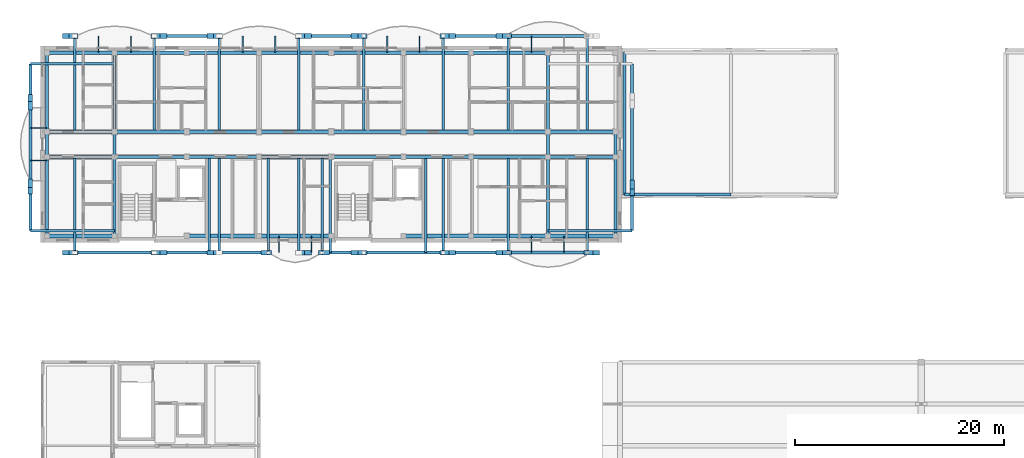
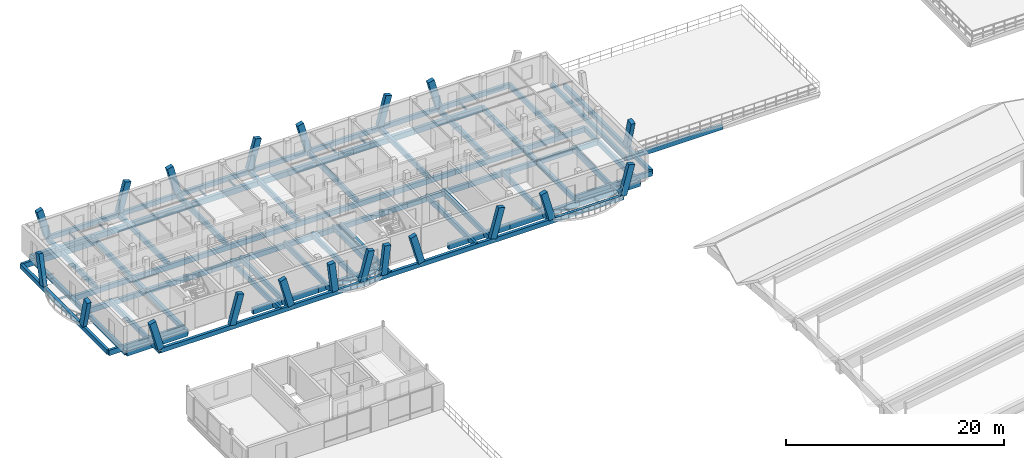
# One storey, part 33 of 109: 81 beams, 20 members.
"""IFC4 building model written with IfcOpenShell, lengths in metres."""

import ifcopenshell
import ifcopenshell.guid

model = None  # the IFC model being written
_history = None  # IfcOwnerHistory: only IFC2X3 demands one
_inside = {}  # id of a spatial element -> (the spatial element, [elements in it])
_under = {}  # id of a project, library or spatial element -> (it, [spatial elements below it])
_declared = {}  # id of a project -> (the project, [libraries it declares])
_typed = {}  # id of a type object -> (the type object, [elements of that type])
_made_of = {}  # id of a material, layer set ... -> (it, [elements and type objects made of it])


def new_model(schema):
    """Start an empty IFC model of exactly this schema.

    Asked for "IFC4X3", IfcOpenShell would pick the latest addendum, in which some entities
    have other attributes; the version numbers below select the first issue.
    IFC2X3 requires an IfcOwnerHistory on every rooted entity: one is made here for all.
    """
    global model, _history
    if schema == "IFC4X3":
        model = ifcopenshell.file(schema_version=(4, 3, 0, 0))
    else:
        model = ifcopenshell.file(schema=schema)
    _inside.clear()
    _under.clear()
    _declared.clear()
    _typed.clear()
    _made_of.clear()
    _history = None
    if model.schema == "IFC2X3":
        org = make("IfcOrganization", Name="unknown")
        user = make(
            "IfcPersonAndOrganization",
            ThePerson=make("IfcPerson", FamilyName="unknown"),
            TheOrganization=org,
        )
        app = make(
            "IfcApplication",
            ApplicationDeveloper=org,
            Version="unknown",
            ApplicationFullName="unknown",
            ApplicationIdentifier="unknown",
        )
        _history = make(
            "IfcOwnerHistory",
            OwningUser=user,
            OwningApplication=app,
            ChangeAction="ADDED",
            CreationDate=0,
        )
    return model


def make(cls, **values):
    """One entity of the class cls with the attributes given. An attribute that is None is left unset."""
    return model.create_entity(
        cls, **{name: value for name, value in values.items() if value is not None}
    )


def rooted(cls, **values):
    """An entity with a GlobalId (a new one), such as an element, a storey or a relation."""
    return make(cls, GlobalId=ifcopenshell.guid.new(), OwnerHistory=_history, **values)


def si_unit(unit_type, name, prefix=None):
    """IfcSIUnit, for example si_unit("LENGTHUNIT", "METRE", prefix="MILLI")."""
    return make("IfcSIUnit", UnitType=unit_type, Prefix=prefix, Name=name)


def assignment(units):
    """IfcUnitAssignment: the units of a project."""
    return None if units is None else make("IfcUnitAssignment", Units=units)


def point(xyz):
    """IfcCartesianPoint."""
    return None if xyz is None else make("IfcCartesianPoint", Coordinates=xyz)


def direction(xyz):
    """IfcDirection."""
    return None if xyz is None else make("IfcDirection", DirectionRatios=xyz)


def frame(location, z_axis=None, x_axis=None):
    """IfcAxis2Placement3D, a coordinate frame: its origin and axes. An axis left out is left unset."""
    return make(
        "IfcAxis2Placement3D",
        Location=point(location),
        Axis=direction(z_axis),
        RefDirection=direction(x_axis),
    )


def frame_2d(location, x_axis=None):
    """IfcAxis2Placement2D, a coordinate frame in the plane: its origin and x axis."""
    return make(
        "IfcAxis2Placement2D", Location=point(location), RefDirection=direction(x_axis)
    )


def origin():
    """The frame at (0, 0, 0) with its axes left unset."""
    return frame((0.0, 0.0, 0.0))


def origin_2d():
    """The frame at (0, 0) in the plane with its x axis left unset."""
    return frame_2d((0.0, 0.0))


def place(relative_to, where):
    """IfcLocalPlacement: puts the frame where relative to a parent placement (None: the world)."""
    return make(
        "IfcLocalPlacement", PlacementRelTo=relative_to, RelativePlacement=where
    )


def context(
    kind, dimensions, precision=None, world=None, true_north=None, identifier=None
):
    """IfcGeometricRepresentationContext, for example the 3D "Model" context."""
    return make(
        "IfcGeometricRepresentationContext",
        ContextIdentifier=identifier,
        ContextType=kind,
        CoordinateSpaceDimension=dimensions,
        Precision=precision,
        WorldCoordinateSystem=world,
        TrueNorth=true_north,
    )


def subcontext(parent, identifier, kind, view, scale=None):
    """IfcGeometricRepresentationSubContext, for example "Body" below "Model"."""
    return make(
        "IfcGeometricRepresentationSubContext",
        ContextIdentifier=identifier,
        ContextType=kind,
        ParentContext=parent,
        TargetScale=scale,
        TargetView=view,
    )


def project(units=None, contexts=None):
    """IfcProject with its units and contexts."""
    return rooted(
        "IfcProject",
        Name="project",
        RepresentationContexts=contexts,
        UnitsInContext=assignment(units),
    )


def spatial(cls, under=None, at=None, **own):
    """A site, building, storey or space (cls), placed at a placement, below another one or the project."""
    s = rooted(cls, ObjectPlacement=at, **own)
    if under is not None:
        _under.setdefault(under.id(), (under, []))[1].append(s)
    return s


def profile(cls, at=None, kind="AREA", **sizes):
    """A parametric profile (cls). Its sizes go by their IFC names, for example OverallWidth=200.0."""
    return make(cls, ProfileType=kind, Position=at, **sizes)


def rectangle(**sizes):
    """IfcRectangleProfileDef."""
    return profile("IfcRectangleProfileDef", **sizes)


def i_section(**sizes):
    """IfcIShapeProfileDef."""
    return profile("IfcIShapeProfileDef", **sizes)


def extrude(swept, where, along, depth):
    """IfcExtrudedAreaSolid: the profile swept, set in the frame where, extruded along a direction by depth."""
    return make(
        "IfcExtrudedAreaSolid",
        SweptArea=swept,
        Position=where,
        ExtrudedDirection=direction(along),
        Depth=depth,
    )


def shape(context_of_items, identifier, shape_type, items):
    """IfcShapeRepresentation: the items that make up one representation, for example the "Body"."""
    return make(
        "IfcShapeRepresentation",
        ContextOfItems=context_of_items,
        RepresentationIdentifier=identifier,
        RepresentationType=shape_type,
        Items=items,
    )


def material(Name=None, Category=None):
    """IfcMaterial."""
    return make("IfcMaterial", Name=Name, Category=Category)


def material_profile(
    of_material, cross_section, Name=None, Category=None, Priority=None
):
    """IfcMaterialProfile: a cross section and its material."""
    return make(
        "IfcMaterialProfile",
        Name=Name,
        Material=of_material,
        Profile=cross_section,
        Priority=Priority,
        Category=Category,
    )


def profile_set(profiles, Name=None, composite=None):
    """IfcMaterialProfileSet."""
    return make(
        "IfcMaterialProfileSet",
        Name=Name,
        MaterialProfiles=profiles,
        CompositeProfile=composite,
    )


def made_of(thing, what):
    """Note that an element or type object is made of a material, layer set ...; save() writes the relation."""
    if what is not None:
        _made_of.setdefault(what.id(), (what, []))[1].append(thing)
    return thing


def type_object(cls, material=None, **own):
    """A type object (cls), such as IfcWallType, which elements share."""
    return made_of(rooted(cls, **own), material)


def element(
    cls,
    number,
    at=None,
    inside=None,
    cuts=None,
    type_object=None,
    material=None,
    context=None,
    identifier="Body",
    shape_type=None,
    held_by="IfcProductDefinitionShape",
    body=None,
    shapes=None,
    **own,
):
    """One element of the class cls, such as IfcWall. Its Tag is "e" and its number.

    at: its placement. inside: the storey or other place that contains it. cuts: it is an
    opening in that element (IfcRelVoidsElement). A single representation is given by context,
    identifier, shape_type and body (its items); several are given by shapes. held_by: the class
    of the entity that holds the representations. save() writes the other relations.
    """
    e = rooted(cls, Tag="e%d" % number, ObjectPlacement=at, **own)
    if body is not None:
        shapes = [shape(context, identifier, shape_type, body)]
    if shapes is not None:
        e.Representation = make(held_by, Representations=shapes)
    if inside is not None:
        _inside.setdefault(inside.id(), (inside, []))[1].append(e)
    if cuts is not None:
        rooted(
            "IfcRelVoidsElement", RelatingBuildingElement=cuts, RelatedOpeningElement=e
        )
    if type_object is not None:
        _typed.setdefault(type_object.id(), (type_object, []))[1].append(e)
    return made_of(e, material)


def aggregate(whole, parts):
    """IfcRelAggregates: a whole, such as a stair, and the parts it consists of."""
    return rooted("IfcRelAggregates", RelatingObject=whole, RelatedObjects=parts)


def save(model, path):
    """Write the relations noted so far, then the file.

    IfcRelAggregates (storeys below a building ...), IfcRelContainedInSpatialStructure (elements
    in a storey), IfcRelDefinesByType, IfcRelAssociatesMaterial and IfcRelDeclares: one each for
    every whole, place, type object, material and project.
    """
    for whole, parts in _under.values():
        aggregate(whole, parts)
    for where, things in _inside.values():
        rooted(
            "IfcRelContainedInSpatialStructure",
            RelatedElements=things,
            RelatingStructure=where,
        )
    for kind, things in _typed.values():
        rooted("IfcRelDefinesByType", RelatedObjects=things, RelatingType=kind)
    for what, things in _made_of.values():
        rooted("IfcRelAssociatesMaterial", RelatedObjects=things, RelatingMaterial=what)
    for by, libraries in _declared.values():
        rooted("IfcRelDeclares", RelatingContext=by, RelatedDefinitions=libraries)
    model.write(path)


model = new_model("IFC4")

# Units and contexts
model_context = context("Model", 3, precision=1e-05, world=origin(), true_north=direction((0.0, 1.0)))
body_context = subcontext(model_context, "Body", "Model", "MODEL_VIEW")
ifc_project = project(units=[si_unit("LENGTHUNIT", "METRE"), si_unit("AREAUNIT", "SQUARE_METRE"), si_unit("VOLUMEUNIT", "CUBIC_METRE"), si_unit("PLANEANGLEUNIT", "RADIAN"), si_unit("MASSUNIT", "GRAM", prefix="KILO")], contexts=[model_context])

# Site, building, storey
site_placement = place(None, origin())
site = spatial("IfcSite", under=ifc_project, at=site_placement, CompositionType="ELEMENT")
building_placement = place(site_placement, origin())
building = spatial("IfcBuilding", under=site, at=building_placement, Name="Zavelmont Quarter", CompositionType="ELEMENT")
storey_placement = place(building_placement, frame((0.0, 0.0, 8.0)))
storey = spatial("IfcBuildingStorey", under=building, at=storey_placement, Name="L02", CompositionType="ELEMENT", Elevation=8.0)

# Beams
ifc_material_1 = material(Name="Concrete C35/45", Category="concrete")
ifc_material_profile_1 = material_profile(ifc_material_1, rectangle(XDim=0.35009765625, YDim=0.60009765625, at=origin_2d()), Name="RC350X600")
ifc_profile_set_1 = profile_set([ifc_material_profile_1], Name="Concrete C35/45")
beam_type_1 = type_object("IfcBeamType", Name="BM01", PredefinedType="SPANDREL", material=ifc_profile_set_1)
beam_1_placement = place(storey_placement, frame((0.43994140625, 98.0400390625, -0.570068359375), z_axis=(1.0, 0.0, 0.0), x_axis=(0.0, 1.0, 0.0)))
element("IfcBeam", 1, at=beam_1_placement, inside=storey, type_object=beam_type_1, Name="L02 beam BM01 1/P to 2/P", PredefinedType="SPANDREL", context=body_context, shape_type="SweptSolid", body=[
    extrude(rectangle(XDim=0.35009765625, YDim=0.60009765625, at=origin_2d()), origin(), (0.0, 0.0, 1.0), 6.4599609375),
])
beam_2_placement = place(storey_placement, frame((13.800048828125, 98.0400390625, -0.570068359375), z_axis=(1.0, 0.0, 0.0), x_axis=(0.0, 1.0, 0.0)))
element("IfcBeam", 2, at=beam_2_placement, inside=storey, type_object=beam_type_1, Name="L02 beam BM01 3/P to 4/P", PredefinedType="SPANDREL", context=body_context, shape_type="SweptSolid", body=[
    extrude(rectangle(XDim=0.35009765625, YDim=0.60009765625, at=origin_2d()), origin(), (0.0, 0.0, 1.0), 6.89990234375),
])
beam_3_placement = place(storey_placement, frame((20.699951171875, 98.0400390625, -0.570068359375), z_axis=(1.0, 0.0, 0.0), x_axis=(0.0, 1.0, 0.0)))
element("IfcBeam", 3, at=beam_3_placement, inside=storey, type_object=beam_type_1, Name="L02 beam BM01 4/P to 5/P", PredefinedType="SPANDREL", context=body_context, shape_type="SweptSolid", body=[
    extrude(rectangle(XDim=0.35009765625, YDim=0.60009765625, at=origin_2d()), origin(), (0.0, 0.0, 1.0), 6.900146484375),
])
beam_4_placement = place(storey_placement, frame((34.5, 98.0400390625, -0.570068359375), z_axis=(1.0, 0.0, 0.0), x_axis=(0.0, 1.0, 0.0)))
element("IfcBeam", 4, at=beam_4_placement, inside=storey, type_object=beam_type_1, Name="L02 beam BM01 6/P to 7/P", PredefinedType="SPANDREL", context=body_context, shape_type="SweptSolid", body=[
    extrude(rectangle(XDim=0.35009765625, YDim=0.60009765625, at=origin_2d()), origin(), (0.0, 0.0, 1.0), 6.4599609375),
])
beam_5_placement = place(storey_placement, frame((40.9599609375, 98.0400390625, -0.570068359375), z_axis=(1.0, 0.0, 0.0), x_axis=(0.0, 1.0, 0.0)))
element("IfcBeam", 5, at=beam_5_placement, inside=storey, type_object=beam_type_1, Name="L02 beam BM01 7/P to 8/P", PredefinedType="SPANDREL", context=body_context, shape_type="SweptSolid", body=[
    extrude(rectangle(XDim=0.35009765625, YDim=0.60009765625, at=origin_2d()), origin(), (0.0, 0.0, 1.0), 7.340087890625),
])
for number, where, z_axis, x_axis, name in (
    (6, (48.300048828125, 98.0400390625, -0.570068359375), (1.0, 0.0, 0.0), (0.0, 1.0, 0.0), "L02 beam BM01 8/P to 9/P"),
    (7, (0.43994140625, 115.56005859375, -0.570068359375), (1.0, 0.0, 0.0), (0.0, 1.0, 0.0), "L02 beam BM01 1/S to 2/S"),
):
    element("IfcBeam", number, at=place(storey_placement, frame(where, z_axis=z_axis, x_axis=x_axis)), inside=storey, type_object=beam_type_1, Name=name, PredefinedType="SPANDREL", context=body_context, shape_type="SweptSolid", body=[
        extrude(rectangle(XDim=0.35009765625, YDim=0.60009765625, at=origin_2d()), origin(), (0.0, 0.0, 1.0), 6.4599609375),
    ])
beam_6_placement = place(storey_placement, frame((6.89990234375, 115.56005859375, -0.570068359375), z_axis=(1.0, 0.0, 0.0), x_axis=(0.0, 1.0, 0.0)))
element("IfcBeam", 8, at=beam_6_placement, inside=storey, type_object=beam_type_1, Name="L02 beam BM01 2/S to 3/S", PredefinedType="SPANDREL", context=body_context, shape_type="SweptSolid", body=[
    extrude(rectangle(XDim=0.35009765625, YDim=0.60009765625, at=origin_2d()), origin(), (0.0, 0.0, 1.0), 6.900146484375),
])
beam_7_placement = place(storey_placement, frame((13.800048828125, 115.56005859375, -0.570068359375), z_axis=(1.0, 0.0, 0.0), x_axis=(0.0, 1.0, 0.0)))
element("IfcBeam", 9, at=beam_7_placement, inside=storey, type_object=beam_type_1, Name="L02 beam BM01 3/S to 4/S", PredefinedType="SPANDREL", context=body_context, shape_type="SweptSolid", body=[
    extrude(rectangle(XDim=0.35009765625, YDim=0.60009765625, at=origin_2d()), origin(), (0.0, 0.0, 1.0), 6.89990234375),
])
beam_8_placement = place(storey_placement, frame((20.699951171875, 115.56005859375, -0.570068359375), z_axis=(1.0, 0.0, 0.0), x_axis=(0.0, 1.0, 0.0)))
element("IfcBeam", 10, at=beam_8_placement, inside=storey, type_object=beam_type_1, Name="L02 beam BM01 4/S to 5/S", PredefinedType="SPANDREL", context=body_context, shape_type="SweptSolid", body=[
    extrude(rectangle(XDim=0.35009765625, YDim=0.60009765625, at=origin_2d()), origin(), (0.0, 0.0, 1.0), 6.900146484375),
])
beam_9_placement = place(storey_placement, frame((27.60009765625, 115.56005859375, -0.570068359375), z_axis=(1.0, 0.0, 0.0), x_axis=(0.0, 1.0, 0.0)))
element("IfcBeam", 11, at=beam_9_placement, inside=storey, type_object=beam_type_1, Name="L02 beam BM01 5/S to 6/S", PredefinedType="SPANDREL", context=body_context, shape_type="SweptSolid", body=[
    extrude(rectangle(XDim=0.35009765625, YDim=0.60009765625, at=origin_2d()), origin(), (0.0, 0.0, 1.0), 6.89990234375),
])
beam_10_placement = place(storey_placement, frame((34.5, 115.56005859375, -0.570068359375), z_axis=(1.0, 0.0, 0.0), x_axis=(0.0, 1.0, 0.0)))
element("IfcBeam", 12, at=beam_10_placement, inside=storey, type_object=beam_type_1, Name="L02 beam BM01 6/S to 7/S", PredefinedType="SPANDREL", context=body_context, shape_type="SweptSolid", body=[
    extrude(rectangle(XDim=0.35009765625, YDim=0.60009765625, at=origin_2d()), origin(), (0.0, 0.0, 1.0), 6.4599609375),
])
beam_11_placement = place(storey_placement, frame((40.9599609375, 115.56005859375, -0.570068359375), z_axis=(1.0, 0.0, 0.0), x_axis=(0.0, 1.0, 0.0)))
element("IfcBeam", 13, at=beam_11_placement, inside=storey, type_object=beam_type_1, Name="L02 beam BM01 7/S to 8/S", PredefinedType="SPANDREL", context=body_context, shape_type="SweptSolid", body=[
    extrude(rectangle(XDim=0.35009765625, YDim=0.60009765625, at=origin_2d()), origin(), (0.0, 0.0, 1.0), 7.340087890625),
])
ifc_material_profile_2 = material_profile(ifc_material_1, rectangle(XDim=0.300048828125, YDim=0.550048828125, at=origin_2d()), Name="RC300X550")
ifc_profile_set_2 = profile_set([ifc_material_profile_2], Name="Concrete C35/45")
beam_type_2 = type_object("IfcBeamType", Name="BM02", PredefinedType="SPANDREL", material=ifc_profile_set_2)
beam_12_placement = place(storey_placement, frame((0.43994140625, 105.60009765625, -0.544921875), z_axis=(1.0, 0.0, 0.0), x_axis=(0.0, 1.0, 0.0)))
element("IfcBeam", 14, at=beam_12_placement, inside=storey, type_object=beam_type_2, Name="L02 beam BM02 1/Q to 2/Q", PredefinedType="SPANDREL", context=body_context, shape_type="SweptSolid", body=[
    extrude(rectangle(XDim=0.300048828125, YDim=0.550048828125, at=origin_2d()), origin(), (0.0, 0.0, 1.0), 6.4599609375),
])
beam_13_placement = place(storey_placement, frame((6.89990234375, 105.60009765625, -0.544921875), z_axis=(1.0, 0.0, 0.0), x_axis=(0.0, 1.0, 0.0)))
element("IfcBeam", 15, at=beam_13_placement, inside=storey, type_object=beam_type_2, Name="L02 beam BM02 2/Q to 3/Q", PredefinedType="SPANDREL", context=body_context, shape_type="SweptSolid", body=[
    extrude(rectangle(XDim=0.300048828125, YDim=0.550048828125, at=origin_2d()), origin(), (0.0, 0.0, 1.0), 6.900146484375),
])
beam_14_placement = place(storey_placement, frame((13.800048828125, 105.60009765625, -0.544921875), z_axis=(1.0, 0.0, 0.0), x_axis=(0.0, 1.0, 0.0)))
element("IfcBeam", 16, at=beam_14_placement, inside=storey, type_object=beam_type_2, Name="L02 beam BM02 3/Q to 4/Q", PredefinedType="SPANDREL", context=body_context, shape_type="SweptSolid", body=[
    extrude(rectangle(XDim=0.300048828125, YDim=0.550048828125, at=origin_2d()), origin(), (0.0, 0.0, 1.0), 6.89990234375),
])
beam_15_placement = place(storey_placement, frame((20.699951171875, 105.60009765625, -0.544921875), z_axis=(1.0, 0.0, 0.0), x_axis=(0.0, 1.0, 0.0)))
element("IfcBeam", 17, at=beam_15_placement, inside=storey, type_object=beam_type_2, Name="L02 beam BM02 4/Q to 5/Q", PredefinedType="SPANDREL", context=body_context, shape_type="SweptSolid", body=[
    extrude(rectangle(XDim=0.300048828125, YDim=0.550048828125, at=origin_2d()), origin(), (0.0, 0.0, 1.0), 6.900146484375),
])
beam_16_placement = place(storey_placement, frame((27.60009765625, 105.60009765625, -0.544921875), z_axis=(1.0, 0.0, 0.0), x_axis=(0.0, 1.0, 0.0)))
element("IfcBeam", 18, at=beam_16_placement, inside=storey, type_object=beam_type_2, Name="L02 beam BM02 5/Q to 6/Q", PredefinedType="SPANDREL", context=body_context, shape_type="SweptSolid", body=[
    extrude(rectangle(XDim=0.300048828125, YDim=0.550048828125, at=origin_2d()), origin(), (0.0, 0.0, 1.0), 6.89990234375),
])
beam_17_placement = place(storey_placement, frame((34.5, 105.60009765625, -0.544921875), z_axis=(1.0, 0.0, 0.0), x_axis=(0.0, 1.0, 0.0)))
element("IfcBeam", 19, at=beam_17_placement, inside=storey, type_object=beam_type_2, Name="L02 beam BM02 6/Q to 7/Q", PredefinedType="SPANDREL", context=body_context, shape_type="SweptSolid", body=[
    extrude(rectangle(XDim=0.300048828125, YDim=0.550048828125, at=origin_2d()), origin(), (0.0, 0.0, 1.0), 6.4599609375),
])
beam_18_placement = place(storey_placement, frame((40.9599609375, 105.60009765625, -0.544921875), z_axis=(1.0, 0.0, 0.0), x_axis=(0.0, 1.0, 0.0)))
element("IfcBeam", 20, at=beam_18_placement, inside=storey, type_object=beam_type_2, Name="L02 beam BM02 7/Q to 8/Q", PredefinedType="SPANDREL", context=body_context, shape_type="SweptSolid", body=[
    extrude(rectangle(XDim=0.300048828125, YDim=0.550048828125, at=origin_2d()), origin(), (0.0, 0.0, 1.0), 7.340087890625),
])
for number, where, z_axis, x_axis, name in (
    (21, (48.300048828125, 105.60009765625, -0.544921875), (1.0, 0.0, 0.0), (0.0, 1.0, 0.0), "L02 beam BM02 8/Q to 9/Q"),
    (22, (0.43994140625, 108.0, -0.544921875), (1.0, 0.0, 0.0), (0.0, 1.0, 0.0), "L02 beam BM02 1/R to 2/R"),
):
    element("IfcBeam", number, at=place(storey_placement, frame(where, z_axis=z_axis, x_axis=x_axis)), inside=storey, type_object=beam_type_2, Name=name, PredefinedType="SPANDREL", context=body_context, shape_type="SweptSolid", body=[
        extrude(rectangle(XDim=0.300048828125, YDim=0.550048828125, at=origin_2d()), origin(), (0.0, 0.0, 1.0), 6.4599609375),
    ])
beam_19_placement = place(storey_placement, frame((6.89990234375, 108.0, -0.544921875), z_axis=(1.0, 0.0, 0.0), x_axis=(0.0, 1.0, 0.0)))
element("IfcBeam", 23, at=beam_19_placement, inside=storey, type_object=beam_type_2, Name="L02 beam BM02 2/R to 3/R", PredefinedType="SPANDREL", context=body_context, shape_type="SweptSolid", body=[
    extrude(rectangle(XDim=0.300048828125, YDim=0.550048828125, at=origin_2d()), origin(), (0.0, 0.0, 1.0), 6.900146484375),
])
beam_20_placement = place(storey_placement, frame((13.800048828125, 108.0, -0.544921875), z_axis=(1.0, 0.0, 0.0), x_axis=(0.0, 1.0, 0.0)))
element("IfcBeam", 24, at=beam_20_placement, inside=storey, type_object=beam_type_2, Name="L02 beam BM02 3/R to 4/R", PredefinedType="SPANDREL", context=body_context, shape_type="SweptSolid", body=[
    extrude(rectangle(XDim=0.300048828125, YDim=0.550048828125, at=origin_2d()), origin(), (0.0, 0.0, 1.0), 6.89990234375),
])
beam_21_placement = place(storey_placement, frame((20.699951171875, 108.0, -0.544921875), z_axis=(1.0, 0.0, 0.0), x_axis=(0.0, 1.0, 0.0)))
element("IfcBeam", 25, at=beam_21_placement, inside=storey, type_object=beam_type_2, Name="L02 beam BM02 4/R to 5/R", PredefinedType="SPANDREL", context=body_context, shape_type="SweptSolid", body=[
    extrude(rectangle(XDim=0.300048828125, YDim=0.550048828125, at=origin_2d()), origin(), (0.0, 0.0, 1.0), 6.900146484375),
])
beam_22_placement = place(storey_placement, frame((27.60009765625, 108.0, -0.544921875), z_axis=(1.0, 0.0, 0.0), x_axis=(0.0, 1.0, 0.0)))
element("IfcBeam", 26, at=beam_22_placement, inside=storey, type_object=beam_type_2, Name="L02 beam BM02 5/R to 6/R", PredefinedType="SPANDREL", context=body_context, shape_type="SweptSolid", body=[
    extrude(rectangle(XDim=0.300048828125, YDim=0.550048828125, at=origin_2d()), origin(), (0.0, 0.0, 1.0), 6.89990234375),
])
beam_23_placement = place(storey_placement, frame((34.5, 108.0, -0.544921875), z_axis=(1.0, 0.0, 0.0), x_axis=(0.0, 1.0, 0.0)))
element("IfcBeam", 27, at=beam_23_placement, inside=storey, type_object=beam_type_2, Name="L02 beam BM02 6/R to 7/R", PredefinedType="SPANDREL", context=body_context, shape_type="SweptSolid", body=[
    extrude(rectangle(XDim=0.300048828125, YDim=0.550048828125, at=origin_2d()), origin(), (0.0, 0.0, 1.0), 6.4599609375),
])
beam_24_placement = place(storey_placement, frame((40.9599609375, 108.0, -0.544921875), z_axis=(1.0, 0.0, 0.0), x_axis=(0.0, 1.0, 0.0)))
element("IfcBeam", 28, at=beam_24_placement, inside=storey, type_object=beam_type_2, Name="L02 beam BM02 7/R to 8/R", PredefinedType="SPANDREL", context=body_context, shape_type="SweptSolid", body=[
    extrude(rectangle(XDim=0.300048828125, YDim=0.550048828125, at=origin_2d()), origin(), (0.0, 0.0, 1.0), 7.340087890625),
])
beam_25_placement = place(storey_placement, frame((48.300048828125, 108.0, -0.544921875), z_axis=(1.0, 0.0, 0.0), x_axis=(0.0, 1.0, 0.0)))
element("IfcBeam", 29, at=beam_25_placement, inside=storey, type_object=beam_type_2, Name="L02 beam BM02 8/R to 9/R", PredefinedType="SPANDREL", context=body_context, shape_type="SweptSolid", body=[
    extrude(rectangle(XDim=0.300048828125, YDim=0.550048828125, at=origin_2d()), origin(), (0.0, 0.0, 1.0), 6.4599609375),
])
beam_26_placement = place(storey_placement, frame((0.43994140625, 98.0400390625, -0.544921875), z_axis=(0.0, 1.0, 0.0), x_axis=(-1.0, 0.0, 0.0)))
element("IfcBeam", 30, at=beam_26_placement, inside=storey, type_object=beam_type_2, Name="L02 beam BM02 1/P to 1/Q", PredefinedType="SPANDREL", context=body_context, shape_type="SweptSolid", body=[
    extrude(rectangle(XDim=0.300048828125, YDim=0.550048828125, at=origin_2d()), origin(), (0.0, 0.0, 1.0), 7.56005859375),
])
beam_27_placement = place(storey_placement, frame((0.43994140625, 105.60009765625, -0.544921875), z_axis=(0.0, 1.0, 0.0), x_axis=(-1.0, 0.0, 0.0)))
element("IfcBeam", 31, at=beam_27_placement, inside=storey, type_object=beam_type_2, Name="L02 beam BM02 1/Q to 1/R", PredefinedType="SPANDREL", context=body_context, shape_type="SweptSolid", body=[
    extrude(rectangle(XDim=0.300048828125, YDim=0.550048828125, at=origin_2d()), origin(), (0.0, 0.0, 1.0), 2.39990234375),
])
for number, where, z_axis, x_axis, name in (
    (32, (0.43994140625, 108.0, -0.544921875), (0.0, 1.0, 0.0), (-1.0, 0.0, 0.0), "L02 beam BM02 1/R to 1/S"),
    (33, (6.89990234375, 98.0400390625, -0.544921875), (0.0, 1.0, 0.0), (-1.0, 0.0, 0.0), "L02 beam BM02 2/P to 2/Q"),
):
    element("IfcBeam", number, at=place(storey_placement, frame(where, z_axis=z_axis, x_axis=x_axis)), inside=storey, type_object=beam_type_2, Name=name, PredefinedType="SPANDREL", context=body_context, shape_type="SweptSolid", body=[
        extrude(rectangle(XDim=0.300048828125, YDim=0.550048828125, at=origin_2d()), origin(), (0.0, 0.0, 1.0), 7.56005859375),
    ])
beam_28_placement = place(storey_placement, frame((6.89990234375, 105.60009765625, -0.544921875), z_axis=(0.0, 1.0, 0.0), x_axis=(-1.0, 0.0, 0.0)))
element("IfcBeam", 34, at=beam_28_placement, inside=storey, type_object=beam_type_2, Name="L02 beam BM02 2/Q to 2/R", PredefinedType="SPANDREL", context=body_context, shape_type="SweptSolid", body=[
    extrude(rectangle(XDim=0.300048828125, YDim=0.550048828125, at=origin_2d()), origin(), (0.0, 0.0, 1.0), 2.39990234375),
])
for number, where, z_axis, x_axis, name in (
    (35, (6.89990234375, 108.0, -0.544921875), (0.0, 1.0, 0.0), (-1.0, 0.0, 0.0), "L02 beam BM02 2/R to 2/S"),
    (36, (48.300048828125, 98.0400390625, -0.544921875), (0.0, 1.0, 0.0), (-1.0, 0.0, 0.0), "L02 beam BM02 8/P to 8/Q"),
):
    element("IfcBeam", number, at=place(storey_placement, frame(where, z_axis=z_axis, x_axis=x_axis)), inside=storey, type_object=beam_type_2, Name=name, PredefinedType="SPANDREL", context=body_context, shape_type="SweptSolid", body=[
        extrude(rectangle(XDim=0.300048828125, YDim=0.550048828125, at=origin_2d()), origin(), (0.0, 0.0, 1.0), 7.56005859375),
    ])
beam_29_placement = place(storey_placement, frame((48.300048828125, 105.60009765625, -0.544921875), z_axis=(0.0, 1.0, 0.0), x_axis=(-1.0, 0.0, 0.0)))
element("IfcBeam", 37, at=beam_29_placement, inside=storey, type_object=beam_type_2, Name="L02 beam BM02 8/Q to 8/R", PredefinedType="SPANDREL", context=body_context, shape_type="SweptSolid", body=[
    extrude(rectangle(XDim=0.300048828125, YDim=0.550048828125, at=origin_2d()), origin(), (0.0, 0.0, 1.0), 2.39990234375),
])
for number, where, z_axis, x_axis, name in (
    (38, (48.300048828125, 108.0, -0.544921875), (0.0, 1.0, 0.0), (-1.0, 0.0, 0.0), "L02 beam BM02 8/R to 8/S"),
    (39, (54.760009765625, 98.0400390625, -0.544921875), (0.0, 1.0, 0.0), (-1.0, 0.0, 0.0), "L02 beam BM02 9/P to 9/Q"),
):
    element("IfcBeam", number, at=place(storey_placement, frame(where, z_axis=z_axis, x_axis=x_axis)), inside=storey, type_object=beam_type_2, Name=name, PredefinedType="SPANDREL", context=body_context, shape_type="SweptSolid", body=[
        extrude(rectangle(XDim=0.300048828125, YDim=0.550048828125, at=origin_2d()), origin(), (0.0, 0.0, 1.0), 7.56005859375),
    ])
beam_30_placement = place(storey_placement, frame((54.760009765625, 105.60009765625, -0.544921875), z_axis=(0.0, 1.0, 0.0), x_axis=(-1.0, 0.0, 0.0)))
element("IfcBeam", 40, at=beam_30_placement, inside=storey, type_object=beam_type_2, Name="L02 beam BM02 9/Q to 9/R", PredefinedType="SPANDREL", context=body_context, shape_type="SweptSolid", body=[
    extrude(rectangle(XDim=0.300048828125, YDim=0.550048828125, at=origin_2d()), origin(), (0.0, 0.0, 1.0), 2.39990234375),
])
ifc_material_profile_3 = material_profile(ifc_material_1, rectangle(XDim=0.300048828125, YDim=0.5, at=origin_2d()), Name="RC300X500")
ifc_profile_set_3 = profile_set([ifc_material_profile_3], Name="Concrete C35/45")
beam_type_3 = type_object("IfcBeamType", Name="BM03", PredefinedType="BEAM", material=ifc_profile_set_3)
beam_31_placement = place(storey_placement, frame((55.639892578125, 102.0, -0.5400390625), z_axis=(1.0, 0.0, 0.0), x_axis=(0.0, 1.0, 0.0)))
element("IfcBeam", 41, at=beam_31_placement, inside=storey, type_object=beam_type_3, Name="L02 beam BM03 9/Q to 10/Q", PredefinedType="BEAM", context=body_context, shape_type="SweptSolid", body=[
    extrude(rectangle(XDim=0.300048828125, YDim=0.5, at=origin_2d()), origin(), (0.0, 0.0, 1.0), 10.16015625),
])
beam_32_placement = place(storey_placement, frame((55.639892578125, 102.0, -0.5400390625), z_axis=(0.0, 1.0, 0.0), x_axis=(-1.0, 0.0, 0.0)))
element("IfcBeam", 42, at=beam_32_placement, inside=storey, type_object=beam_type_3, Name="L02 beam BM03 9/Q to 9/S", PredefinedType="BEAM", context=body_context, shape_type="SweptSolid", body=[
    extrude(rectangle(XDim=0.300048828125, YDim=0.5, at=origin_2d()), origin(), (0.0, 0.0, 1.0), 13.56005859375),
])
for number, where, z_axis, x_axis, name in (
    (43, (3.10400390625, 117.14990234375, -0.25), (1.0, 0.0, 0.0), (0.0, 1.0, 0.0), "L02 beam BM03 1/S to 9/S"),
    (44, (3.10400390625, 96.449951171875, -0.25), (1.0, 0.0, 0.0), (0.0, 1.0, 0.0), "L02 beam BM03 1/P to 9/P"),
):
    element("IfcBeam", number, at=place(storey_placement, frame(where, z_axis=z_axis, x_axis=x_axis)), inside=storey, type_object=beam_type_3, Name=name, PredefinedType="BEAM", context=body_context, shape_type="SweptSolid", body=[
        extrude(rectangle(XDim=0.300048828125, YDim=0.5, at=origin_2d()), origin(), (0.0, 0.0, 1.0), 48.969970703125),
    ])
for number, where, z_axis, x_axis, name in (
    (45, (-1.14990234375, 98.550048828125, -0.25), (0.0, 1.0, 0.0), (-1.0, 0.0, 0.0), "L02 beam BM03 1/P to 1/S"),
    (46, (56.35009765625, 98.550048828125, -0.25), (0.0, 1.0, 0.0), (-1.0, 0.0, 0.0), "L02 beam BM03 9/P to 9/S"),
):
    element("IfcBeam", number, at=place(storey_placement, frame(where, z_axis=z_axis, x_axis=x_axis)), inside=storey, type_object=beam_type_3, Name=name, PredefinedType="BEAM", context=body_context, shape_type="SweptSolid", body=[
        extrude(rectangle(XDim=0.300048828125, YDim=0.5, at=origin_2d()), origin(), (0.0, 0.0, 1.0), 15.949951171875),
    ])
ifc_material_2 = material(Name="Steel S355", Category="steel")
ifc_material_profile_4 = material_profile(ifc_material_2, i_section(OverallWidth=0.110107421875, OverallDepth=0.219970703125, WebThickness=0.005859375, FlangeThickness=0.00927734375, at=origin_2d()), Name="IPE 220")
ifc_profile_set_4 = profile_set([ifc_material_profile_4], Name="Steel S355")
beam_type_4 = type_object("IfcBeamType", Name="BM15", PredefinedType="JOIST", material=ifc_profile_set_4)
for number, where, z_axis, x_axis, name in (
    (47, (5.35009765625, 115.56005859375, -0.382080078125), (0.0, 1.0, 0.0), (-1.0, 0.0, 0.0), "L02 beam BM15 2/S to 2/S"),
    (48, (8.449951171875, 115.56005859375, -0.382080078125), (0.0, 1.0, 0.0), (-1.0, 0.0, 0.0), "L02 beam BM15 2/S to 2/S"),
    (49, (19.14990234375, 115.56005859375, -0.382080078125), (0.0, 1.0, 0.0), (-1.0, 0.0, 0.0), "L02 beam BM15 4/S to 4/S"),
    (50, (22.25, 115.56005859375, -0.382080078125), (0.0, 1.0, 0.0), (-1.0, 0.0, 0.0), "L02 beam BM15 4/S to 4/S"),
    (51, (32.949951171875, 115.56005859375, -0.382080078125), (0.0, 1.0, 0.0), (-1.0, 0.0, 0.0), "L02 beam BM15 6/S to 6/S"),
    (52, (36.050048828125, 115.56005859375, -0.382080078125), (0.0, 1.0, 0.0), (-1.0, 0.0, 0.0), "L02 beam BM15 6/S to 6/S"),
    (53, (46.75, 115.56005859375, -0.382080078125), (0.0, 1.0, 0.0), (-1.0, 0.0, 0.0), "L02 beam BM15 8/S to 8/S"),
    (54, (0.43994140625, 105.25, -0.382080078125), (-1.0, 0.0, 0.0), (0.0, -1.0, 0.0), "L02 beam BM15 1/Q to 1/Q"),
    (55, (0.43994140625, 108.35009765625, -0.382080078125), (-1.0, 0.0, 0.0), (0.0, -1.0, 0.0), "L02 beam BM15 1/R to 1/R"),
):
    element("IfcBeam", number, at=place(storey_placement, frame(where, z_axis=z_axis, x_axis=x_axis)), inside=storey, type_object=beam_type_4, Name=name, PredefinedType="JOIST", context=body_context, shape_type="SweptSolid", body=[
        extrude(i_section(OverallWidth=0.110107421875, OverallDepth=0.219970703125, WebThickness=0.005859375, FlangeThickness=0.00927734375, at=origin_2d()), origin(), (0.0, 0.0, 1.0), 1.58984375),
    ])
for number, where, z_axis, x_axis, name in (
    (56, (46.75, 98.0400390625, -0.382080078125), (0.0, -1.0, 0.0), (1.0, 0.0, 0.0), "L02 beam BM15 8/P to 8/P"),
    (57, (49.85009765625, 98.0400390625, -0.382080078125), (0.0, -1.0, 0.0), (1.0, 0.0, 0.0), "L02 beam BM15 8/P to 8/P"),
    (58, (22.60009765625, 98.0400390625, -0.382080078125), (0.0, -1.0, 0.0), (1.0, 0.0, 0.0), "L02 beam BM15 4/P to 4/P"),
    (59, (25.699951171875, 98.0400390625, -0.382080078125), (0.0, -1.0, 0.0), (1.0, 0.0, 0.0), "L02 beam BM15 5/P to 5/P"),
):
    element("IfcBeam", number, at=place(storey_placement, frame(where, z_axis=z_axis, x_axis=x_axis)), inside=storey, type_object=beam_type_4, Name=name, PredefinedType="JOIST", context=body_context, shape_type="SweptSolid", body=[
        extrude(i_section(OverallWidth=0.110107421875, OverallDepth=0.219970703125, WebThickness=0.005859375, FlangeThickness=0.00927734375, at=origin_2d()), origin(), (0.0, 0.0, 1.0), 1.590087890625),
    ])
ifc_material_3 = material(Name="Concrete C40/50", Category="concrete")
ifc_material_profile_5 = material_profile(ifc_material_3, rectangle(XDim=0.25, YDim=0.60009765625, at=origin_2d()), Name="RC250X600")
ifc_profile_set_5 = profile_set([ifc_material_profile_5], Name="Concrete C40/50")
beam_type_5 = type_object("IfcBeamType", Name="BM18", PredefinedType="BEAM", material=ifc_profile_set_5)
for number, where, z_axis, x_axis, name in (
    (60, (3.103759765625, 108.0, -0.300048828125), (0.0, 1.0, 0.0), (-1.0, 0.0, 0.0), "L02 beam BM18 1/R to 1/S"),
    (61, (10.6962890625, 108.0, -0.300048828125), (0.0, 1.0, 0.0), (-1.0, 0.0, 0.0), "L02 beam BM18 3/R to 3/S"),
    (62, (16.90380859375, 108.0, -0.300048828125), (0.0, 1.0, 0.0), (-1.0, 0.0, 0.0), "L02 beam BM18 3/R to 3/S"),
    (63, (24.49609375, 108.0, -0.300048828125), (0.0, 1.0, 0.0), (-1.0, 0.0, 0.0), "L02 beam BM18 5/R to 5/S"),
    (64, (30.703857421875, 108.0, -0.300048828125), (0.0, 1.0, 0.0), (-1.0, 0.0, 0.0), "L02 beam BM18 5/R to 5/S"),
    (65, (38.296142578125, 108.0, -0.300048828125), (0.0, 1.0, 0.0), (-1.0, 0.0, 0.0), "L02 beam BM18 7/R to 7/S"),
    (66, (44.525634765625, 108.0, -0.300048828125), (0.0, 1.0, 0.0), (-1.0, 0.0, 0.0), "L02 beam BM18 7/R to 7/S"),
    (67, (52.07421875, 108.0, -0.300048828125), (0.0, 1.0, 0.0), (-1.0, 0.0, 0.0), "L02 beam BM18 9/R to 9/S"),
):
    element("IfcBeam", number, at=place(storey_placement, frame(where, z_axis=z_axis, x_axis=x_axis)), inside=storey, type_object=beam_type_5, Name=name, PredefinedType="BEAM", context=body_context, shape_type="SweptSolid", body=[
        extrude(rectangle(XDim=0.25, YDim=0.60009765625, at=origin_2d()), origin(), (0.0, 0.0, 1.0), 9.14990234375),
    ])
for number, where, z_axis, x_axis, name in (
    (68, (3.103759765625, 105.60009765625, -0.300048828125), (0.0, -1.0, 0.0), (1.0, 0.0, 0.0), "L02 beam BM18 1/Q to 1/P"),
    (69, (15.925048828125, 105.60009765625, -0.300048828125), (0.0, -1.0, 0.0), (1.0, 0.0, 0.0), "L02 beam BM18 3/Q to 3/P"),
    (70, (16.90380859375, 105.60009765625, -0.300048828125), (0.0, -1.0, 0.0), (1.0, 0.0, 0.0), "L02 beam BM18 3/Q to 3/P"),
    (71, (24.49609375, 105.60009765625, -0.300048828125), (0.0, -1.0, 0.0), (1.0, 0.0, 0.0), "L02 beam BM18 5/Q to 5/P"),
    (72, (27.5, 105.60009765625, -0.300048828125), (0.0, -1.0, 0.0), (1.0, 0.0, 0.0), "L02 beam BM18 5/Q to 5/P"),
    (73, (36.625, 105.60009765625, -0.300048828125), (0.0, -1.0, 0.0), (1.0, 0.0, 0.0), "L02 beam BM18 6/Q to 6/P"),
    (74, (38.296142578125, 105.60009765625, -0.300048828125), (0.0, -1.0, 0.0), (1.0, 0.0, 0.0), "L02 beam BM18 7/Q to 7/P"),
    (75, (44.525634765625, 105.60009765625, -0.300048828125), (0.0, -1.0, 0.0), (1.0, 0.0, 0.0), "L02 beam BM18 7/Q to 7/P"),
    (76, (52.07421875, 105.60009765625, -0.300048828125), (0.0, -1.0, 0.0), (1.0, 0.0, 0.0), "L02 beam BM18 9/Q to 9/P"),
    (77, (21.572509765625, 105.60009765625, -0.300048828125), (0.0, -1.0, 0.0), (1.0, 0.0, 0.0), "L02 beam BM18 4/Q to 4/P"),
    (78, (26.7275390625, 105.60009765625, -0.300048828125), (0.0, -1.0, 0.0), (1.0, 0.0, 0.0), "L02 beam BM18 5/Q to 5/P"),
):
    element("IfcBeam", number, at=place(storey_placement, frame(where, z_axis=z_axis, x_axis=x_axis)), inside=storey, type_object=beam_type_5, Name=name, PredefinedType="BEAM", context=body_context, shape_type="SweptSolid", body=[
        extrude(rectangle(XDim=0.25, YDim=0.60009765625, at=origin_2d()), origin(), (0.0, 0.0, 1.0), 9.150146484375),
    ])
for number, where, z_axis, x_axis, name in (
    (79, (6.89990234375, 98.550048828125, -0.300048828125), (-1.0, 0.0, 0.0), (0.0, -1.0, 0.0), "L02 beam BM18 2/P to 1/P"),
    (80, (6.89990234375, 114.5, -0.300048828125), (-1.0, 0.0, 0.0), (0.0, -1.0, 0.0), "L02 beam BM18 2/S to 1/S"),
):
    element("IfcBeam", number, at=place(storey_placement, frame(where, z_axis=z_axis, x_axis=x_axis)), inside=storey, type_object=beam_type_5, Name=name, PredefinedType="BEAM", context=body_context, shape_type="SweptSolid", body=[
        extrude(rectangle(XDim=0.25, YDim=0.60009765625, at=origin_2d()), origin(), (0.0, 0.0, 1.0), 8.0498046875),
    ])
beam_33_placement = place(storey_placement, frame((48.300048828125, 98.550048828125, -0.300048828125), z_axis=(1.0, 0.0, 0.0), x_axis=(0.0, 1.0, 0.0)))
element("IfcBeam", 81, at=beam_33_placement, inside=storey, type_object=beam_type_5, Name="L02 beam BM18 8/P to 9/P", PredefinedType="BEAM", context=body_context, shape_type="SweptSolid", body=[
    extrude(rectangle(XDim=0.25, YDim=0.60009765625, at=origin_2d()), origin(), (0.0, 0.0, 1.0), 8.050048828125),
])

# Members
ifc_material_4 = material(Name="White architectural precast concrete C40/50", Category="concrete")
ifc_material_profile_6 = material_profile(ifc_material_4, rectangle(XDim=0.43994140625, YDim=0.659912109375, at=origin_2d()), Name="PCR320X480")
ifc_profile_set_6 = profile_set([ifc_material_profile_6], Name="White architectural precast concrete C40/50")
member_type = type_object("IfcMemberType", Name="VR01M", PredefinedType="CHORD", material=ifc_profile_set_6)
for number, where, z_axis, x_axis, name in (
    (82, (3.103759765625, 117.14990234375, 0.0), (-0.264169512247, 0.0, 0.964476266581), (0.0, -1.0, 0.0), "L02 member VR01M 1/S to 1/S"),
    (83, (10.6962890625, 117.14990234375, 0.0), (0.264169512247, 0.0, 0.964476266581), (0.0, 1.0, 0.0), "L02 member VR01M 3/S to 3/S"),
    (84, (16.90380859375, 117.14990234375, 0.0), (-0.264169512247, 0.0, 0.964476266581), (0.0, -1.0, 0.0), "L02 member VR01M 3/S to 3/S"),
    (85, (24.49609375, 117.14990234375, 0.0), (0.264237959918, 0.0, 0.964457516192), (0.0, 1.0, 0.0), "L02 member VR01M 5/S to 5/S"),
    (86, (30.703857421875, 117.14990234375, 0.0), (-0.264169512247, 0.0, 0.964476266581), (0.0, -1.0, 0.0), "L02 member VR01M 5/S to 5/S"),
    (87, (38.296142578125, 117.14990234375, 0.0), (0.264169512247, 0.0, 0.964476266581), (0.0, 1.0, 0.0), "L02 member VR01M 7/S to 7/S"),
):
    element("IfcMember", number, at=place(storey_placement, frame(where, z_axis=z_axis, x_axis=x_axis)), inside=storey, type_object=member_type, Name=name, PredefinedType="CHORD", context=body_context, shape_type="SweptSolid", body=[
        extrude(rectangle(XDim=0.43994140625, YDim=0.659912109375, at=origin_2d()), origin(), (0.0, 0.0, 1.0), 3.31787109375),
    ])
member_1_placement = place(storey_placement, frame((44.525634765625, 117.14990234375, 0.0), z_axis=(-0.26197708311, 0.0, 0.965074094526), x_axis=(0.0, -1.0, 0.0)))
element("IfcMember", 88, at=member_1_placement, inside=storey, type_object=member_type, Name="L02 member VR01M 7/S to 7/S", PredefinedType="CHORD", context=body_context, shape_type="SweptSolid", body=[
    extrude(rectangle(XDim=0.43994140625, YDim=0.659912109375, at=origin_2d()), origin(), (0.0, 0.0, 1.0), 3.315673828125),
])
for number, where, z_axis, x_axis, name in (
    (89, (3.103759765625, 96.449951171875, 0.0), (-0.264169512247, 0.0, 0.964476266581), (0.0, -1.0, 0.0), "L02 member VR01M 1/P to 1/P"),
    (90, (10.6962890625, 96.449951171875, 0.0), (0.264169512247, 0.0, 0.964476266581), (0.0, 1.0, 0.0), "L02 member VR01M 3/P to 3/P"),
    (91, (16.90380859375, 96.449951171875, 0.0), (-0.264169512247, 0.0, 0.964476266581), (0.0, -1.0, 0.0), "L02 member VR01M 3/P to 3/P"),
    (92, (24.49609375, 96.449951171875, 0.0), (0.264237959918, 0.0, 0.964457516192), (0.0, 1.0, 0.0), "L02 member VR01M 5/P to 5/P"),
    (93, (30.703857421875, 96.449951171875, 0.0), (-0.264169512247, 0.0, 0.964476266581), (0.0, -1.0, 0.0), "L02 member VR01M 5/P to 5/P"),
    (94, (38.296142578125, 96.449951171875, 0.0), (0.264169512247, 0.0, 0.964476266581), (0.0, 1.0, 0.0), "L02 member VR01M 7/P to 7/P"),
):
    element("IfcMember", number, at=place(storey_placement, frame(where, z_axis=z_axis, x_axis=x_axis)), inside=storey, type_object=member_type, Name=name, PredefinedType="CHORD", context=body_context, shape_type="SweptSolid", body=[
        extrude(rectangle(XDim=0.43994140625, YDim=0.659912109375, at=origin_2d()), origin(), (0.0, 0.0, 1.0), 3.31787109375),
    ])
member_2_placement = place(storey_placement, frame((44.525634765625, 96.449951171875, 0.0), z_axis=(-0.26197708311, 0.0, 0.965074094526), x_axis=(0.0, -1.0, 0.0)))
element("IfcMember", 95, at=member_2_placement, inside=storey, type_object=member_type, Name="L02 member VR01M 7/P to 7/P", PredefinedType="CHORD", context=body_context, shape_type="SweptSolid", body=[
    extrude(rectangle(XDim=0.43994140625, YDim=0.659912109375, at=origin_2d()), origin(), (0.0, 0.0, 1.0), 3.315673828125),
])
member_3_placement = place(storey_placement, frame((52.07421875, 96.449951171875, 0.0), z_axis=(0.262045658156, 0.0, 0.965055476665), x_axis=(0.0, 1.0, 0.0)))
element("IfcMember", 96, at=member_3_placement, inside=storey, type_object=member_type, Name="L02 member VR01M 9/P to 9/P", PredefinedType="CHORD", context=body_context, shape_type="SweptSolid", body=[
    extrude(rectangle(XDim=0.43994140625, YDim=0.659912109375, at=origin_2d()), origin(), (0.0, 0.0, 1.0), 3.31591796875),
])
for number, where, z_axis, x_axis, name in (
    (97, (21.572509765625, 96.449951171875, 0.0), (-0.115645184752, 0.0, 0.993290587514), (0.0, -1.0, 0.0), "L02 member VR01M 4/P to 4/P"),
    (98, (26.7275390625, 96.449951171875, 0.0), (0.115645184752, 0.0, 0.993290587514), (0.0, 1.0, 0.0), "L02 member VR01M 5/P to 5/P"),
):
    element("IfcMember", number, at=place(storey_placement, frame(where, z_axis=z_axis, x_axis=x_axis)), inside=storey, type_object=member_type, Name=name, PredefinedType="CHORD", context=body_context, shape_type="SweptSolid", body=[
        extrude(rectangle(XDim=0.43994140625, YDim=0.659912109375, at=origin_2d()), origin(), (0.0, 0.0, 1.0), 3.2216796875),
    ])
for number, where, z_axis, x_axis, name in (
    (99, (-1.14990234375, 103.182373046875, 0.0), (0.0, -0.246239849956, 0.969208922933), (1.0, 0.0, 0.0), "L02 member VR01M 1/Q to 1/Q"),
    (100, (-1.14990234375, 110.41748046875, 0.0), (0.0, 0.246239849956, 0.969208922933), (-1.0, 0.0, 0.0), "L02 member VR01M 1/R to 1/R"),
):
    element("IfcMember", number, at=place(storey_placement, frame(where, z_axis=z_axis, x_axis=x_axis)), inside=storey, type_object=member_type, Name=name, PredefinedType="CHORD", context=body_context, shape_type="SweptSolid", body=[
        extrude(rectangle(XDim=0.43994140625, YDim=0.659912109375, at=origin_2d()), origin(), (0.0, 0.0, 1.0), 3.301513671875),
    ])
member_4_placement = place(storey_placement, frame((56.35009765625, 103.079345703125, 0.0), z_axis=(0.0, -0.256684943451, 0.966495131806), x_axis=(1.0, 0.0, 0.0)))
element("IfcMember", 101, at=member_4_placement, inside=storey, type_object=member_type, Name="L02 member VR01M 9/Q to 9/Q", PredefinedType="CHORD", context=body_context, shape_type="SweptSolid", body=[
    extrude(rectangle(XDim=0.43994140625, YDim=0.659912109375, at=origin_2d()), origin(), (0.0, 0.0, 1.0), 3.310791015625),
])

save(model, "model.ifc")
